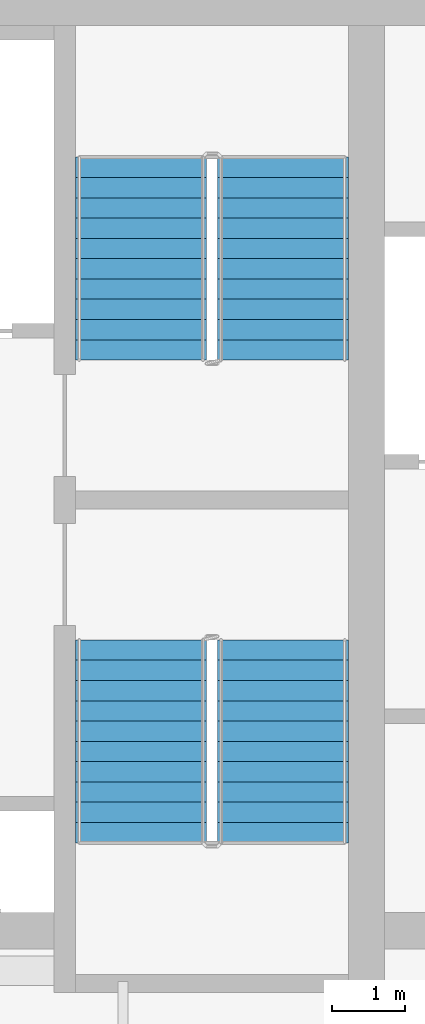
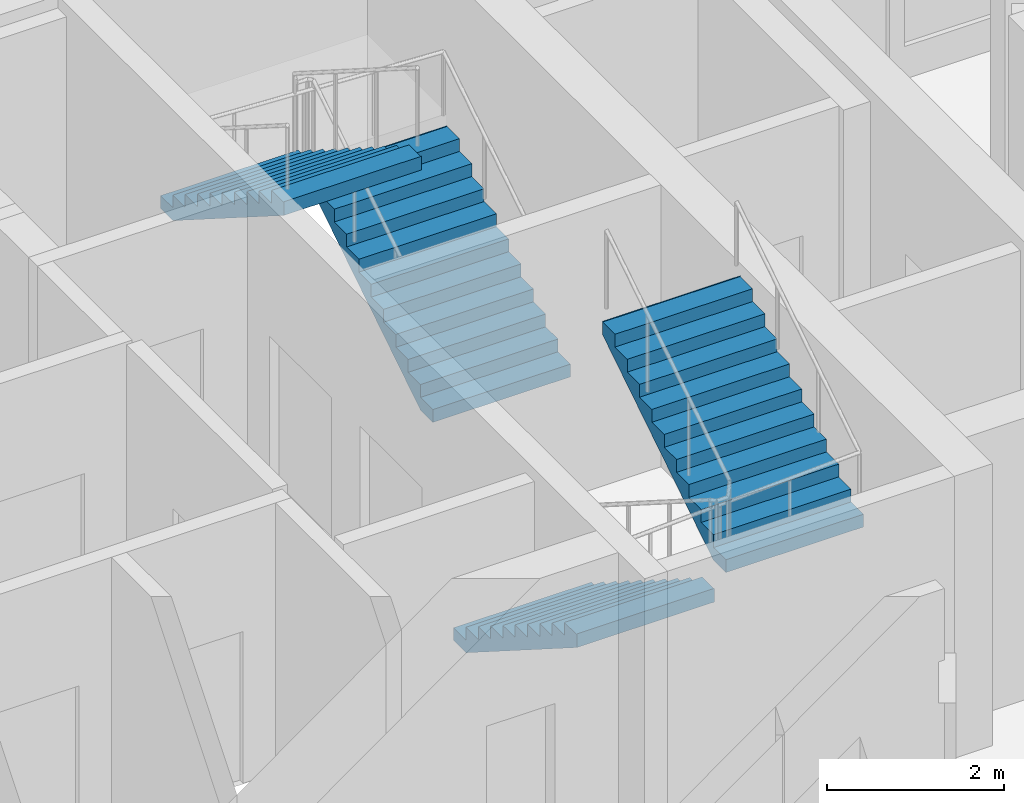
# One storey, part 9 of 10: 4 stair flights, 2 elements without a shape of their own.
"""IFC4 building model written with IfcOpenShell, lengths in metres."""

from ifc_helpers import new_model, si_unit, direction, frame, origin, place, context, subcontext, project, spatial, faceted_brep, source, transform, mapped, material, type_object, element, aggregate, save


model = new_model("IFC4")

# Units and contexts
model_context = context("Model", 3, precision=1e-05, world=origin(), true_north=direction((0.0, 1.0)))
body_context = subcontext(model_context, "Body", "Model", "MODEL_VIEW")
ifc_project = project(units=[si_unit("LENGTHUNIT", "METRE"), si_unit("AREAUNIT", "SQUARE_METRE"), si_unit("VOLUMEUNIT", "CUBIC_METRE"), si_unit("PLANEANGLEUNIT", "RADIAN"), si_unit("MASSUNIT", "GRAM", prefix="KILO")], contexts=[model_context])

# Site, building, storey
site_placement = place(None, origin())
site = spatial("IfcSite", under=ifc_project, at=site_placement, CompositionType="ELEMENT")
building_placement = place(site_placement, origin())
building = spatial("IfcBuilding", under=site, at=building_placement, Name="Calabash Gate Tower", CompositionType="ELEMENT")
storey_placement = place(building_placement, frame((0.0, 0.0, 183.60009765625)))
storey = spatial("IfcBuildingStorey", under=building, at=storey_placement, Name="L43", CompositionType="ELEMENT", Elevation=183.60009765625)

# Stair, stair flights
ifc_material_1 = material(Name="Concrete C40/50", Category="concrete")
stair_type = type_object("IfcStairType", Name="Exit stair 22 risers of 177.3 mm", PredefinedType="HALF_TURN_STAIR", material=ifc_material_1)
stair_1_placement = place(storey_placement, origin())
stair_1 = element("IfcStair", 1, at=stair_1_placement, inside=storey, type_object=stair_type, Name="L43 Exit stair ST3", PredefinedType="HALF_TURN_STAIR")
ifc_material_2 = material(Name="Concrete C40/50", Category="concrete")
stair_flight_type = type_object("IfcStairFlightType", Name="Exit stair flight SFL", PredefinedType="STRAIGHT", material=ifc_material_2)
shared_shape = source(origin(), body_context, "Body", "Brep", [
    faceted_brep([(-0.0009765625, -0.89990234375, 0.0), (0.279541015625, -0.89990234375, 0.0), (2.791015625, -0.89990234375, 1.59521484375), (-0.0009765625, 0.89990234375, 0.0), (2.791015625, 0.89990234375, 1.59521484375), (0.279541015625, 0.89990234375, 0.0), (2.791015625, -0.89990234375, 1.78466796875), (2.7900390625, -0.89990234375, 1.78466796875), (2.7900390625, 0.89990234375, 1.78466796875), (2.791015625, 0.89990234375, 1.78466796875), (2.7900390625, -0.89990234375, 1.772705078125), (2.7900390625, 0.89990234375, 1.772705078125), (2.510986328125, -0.89990234375, 1.772705078125), (2.510986328125, 0.89990234375, 1.772705078125), (2.510986328125, -0.89990234375, 1.595458984375), (2.510986328125, 0.89990234375, 1.595458984375), (2.23193359375, -0.89990234375, 1.595458984375), (2.23193359375, 0.89990234375, 1.595458984375), (2.23193359375, -0.89990234375, 1.418212890625), (2.23193359375, 0.89990234375, 1.418212890625), (1.952880859375, -0.89990234375, 1.418212890625), (1.952880859375, -0.89990234375, 1.240966796875), (1.952880859375, 0.89990234375, 1.240966796875), (1.952880859375, 0.89990234375, 1.418212890625), (1.674072265625, -0.89990234375, 1.240966796875), (1.674072265625, -0.89990234375, 1.063720703125), (1.674072265625, 0.89990234375, 1.063720703125), (1.674072265625, 0.89990234375, 1.240966796875), (1.39501953125, -0.89990234375, 1.063720703125), (1.39501953125, -0.89990234375, 0.886474609375), (1.39501953125, 0.89990234375, 0.886474609375), (1.39501953125, 0.89990234375, 1.063720703125), (1.115966796875, -0.89990234375, 0.886474609375), (1.115966796875, -0.89990234375, 0.708984375), (1.115966796875, 0.89990234375, 0.708984375), (1.115966796875, 0.89990234375, 0.886474609375), (0.8369140625, -0.89990234375, 0.708984375), (0.8369140625, -0.89990234375, 0.53173828125), (0.8369140625, 0.89990234375, 0.53173828125), (0.8369140625, 0.89990234375, 0.708984375), (0.55810546875, -0.89990234375, 0.53173828125), (0.55810546875, -0.89990234375, 0.3544921875), (0.55810546875, 0.89990234375, 0.3544921875), (0.55810546875, 0.89990234375, 0.53173828125), (0.279052734375, -0.89990234375, 0.3544921875), (0.279052734375, -0.89990234375, 0.17724609375), (0.279052734375, 0.89990234375, 0.17724609375), (0.279052734375, 0.89990234375, 0.3544921875), (-0.0009765625, -0.89990234375, 0.17724609375), (-0.0009765625, 0.89990234375, 0.17724609375), (0.279541015625, -0.360107421875, 0.0), (2.791015625, -0.360107421875, 1.59521484375), (0.279541015625, 0.0, 0.0), (2.791015625, 0.0, 1.59521484375), (0.279541015625, 0.360107421875, 0.0), (2.791015625, 0.360107421875, 1.59521484375), (2.791015625, -0.360107421875, 1.78466796875), (2.791015625, 0.0, 1.78466796875), (2.791015625, 0.360107421875, 1.78466796875), (2.7900390625, -0.360107421875, 1.78466796875), (2.7900390625, 0.0, 1.78466796875), (2.7900390625, 0.360107421875, 1.78466796875), (2.7900390625, -0.360107421875, 1.772705078125), (2.7900390625, 0.0, 1.772705078125), (2.7900390625, 0.360107421875, 1.772705078125), (2.510986328125, -0.360107421875, 1.772705078125), (2.510986328125, 0.0, 1.772705078125), (2.510986328125, 0.360107421875, 1.772705078125), (2.510986328125, -0.360107421875, 1.595458984375), (2.510986328125, 0.0, 1.595458984375), (2.510986328125, 0.360107421875, 1.595458984375), (2.23193359375, -0.360107421875, 1.595458984375), (2.23193359375, 0.0, 1.595458984375), (2.23193359375, 0.360107421875, 1.595458984375), (2.23193359375, -0.360107421875, 1.418212890625), (2.23193359375, 0.0, 1.418212890625), (2.23193359375, 0.360107421875, 1.418212890625), (1.952880859375, -0.360107421875, 1.418212890625), (1.952880859375, 0.0, 1.418212890625), (1.952880859375, 0.360107421875, 1.418212890625), (1.952880859375, -0.360107421875, 1.240966796875), (1.952880859375, 0.0, 1.240966796875), (1.952880859375, 0.360107421875, 1.240966796875), (1.674072265625, -0.360107421875, 1.240966796875), (1.674072265625, 0.0, 1.240966796875), (1.674072265625, 0.360107421875, 1.240966796875), (1.674072265625, -0.360107421875, 1.063720703125), (1.674072265625, 0.0, 1.063720703125), (1.674072265625, 0.360107421875, 1.063720703125), (1.39501953125, -0.360107421875, 1.063720703125), (1.39501953125, 0.0, 1.063720703125), (1.39501953125, 0.360107421875, 1.063720703125), (1.39501953125, -0.360107421875, 0.886474609375), (1.39501953125, 0.0, 0.886474609375), (1.39501953125, 0.360107421875, 0.886474609375), (1.115966796875, -0.360107421875, 0.886474609375), (1.115966796875, 0.0, 0.886474609375), (1.115966796875, 0.360107421875, 0.886474609375), (1.115966796875, -0.360107421875, 0.708984375), (1.115966796875, 0.0, 0.708984375), (1.115966796875, 0.360107421875, 0.708984375), (0.8369140625, -0.360107421875, 0.708984375), (0.8369140625, 0.0, 0.708984375), (0.8369140625, 0.360107421875, 0.708984375), (0.8369140625, -0.360107421875, 0.53173828125), (0.8369140625, 0.0, 0.53173828125), (0.8369140625, 0.360107421875, 0.53173828125), (0.55810546875, -0.360107421875, 0.53173828125), (0.55810546875, 0.0, 0.53173828125), (0.55810546875, 0.360107421875, 0.53173828125), (0.55810546875, -0.360107421875, 0.3544921875), (0.55810546875, 0.0, 0.3544921875), (0.55810546875, 0.360107421875, 0.3544921875), (0.279052734375, -0.360107421875, 0.3544921875), (0.279052734375, 0.0, 0.3544921875), (0.279052734375, 0.360107421875, 0.3544921875), (0.279052734375, -0.360107421875, 0.17724609375), (0.279052734375, 0.0, 0.17724609375), (0.279052734375, 0.360107421875, 0.17724609375), (-0.0009765625, -0.360107421875, 0.17724609375), (-0.0009765625, 0.0, 0.17724609375), (-0.0009765625, 0.360107421875, 0.17724609375), (-0.0009765625, -0.360107421875, 0.0), (-0.0009765625, 0.0, 0.0), (-0.0009765625, 0.360107421875, 0.0)], [[[0, 1, 2]], [[3, 4, 5]], [[2, 6, 7]], [[4, 8, 9]], [[2, 7, 10]], [[4, 11, 8]], [[2, 10, 12]], [[4, 13, 11]], [[2, 12, 14]], [[4, 15, 13]], [[2, 14, 16]], [[4, 17, 15]], [[2, 16, 18]], [[4, 19, 17]], [[18, 20, 21]], [[19, 22, 23]], [[2, 18, 21]], [[4, 22, 19]], [[21, 24, 25]], [[22, 26, 27]], [[2, 21, 25]], [[4, 26, 22]], [[25, 28, 29]], [[26, 30, 31]], [[2, 25, 29]], [[4, 30, 26]], [[29, 32, 33]], [[30, 34, 35]], [[2, 29, 33]], [[4, 34, 30]], [[33, 36, 37]], [[34, 38, 39]], [[2, 33, 37]], [[4, 38, 34]], [[37, 40, 41]], [[38, 42, 43]], [[2, 37, 41]], [[4, 42, 38]], [[41, 44, 45]], [[42, 46, 47]], [[2, 41, 45]], [[4, 46, 42]], [[0, 2, 45]], [[3, 46, 4]], [[45, 48, 0]], [[46, 3, 49]], [[1, 50, 2]], [[50, 51, 2]], [[50, 52, 51]], [[52, 53, 51]], [[52, 54, 55]], [[52, 55, 53]], [[54, 5, 4]], [[54, 4, 55]], [[2, 51, 6]], [[51, 56, 6]], [[51, 53, 56]], [[53, 57, 56]], [[53, 55, 58]], [[53, 58, 57]], [[55, 4, 9]], [[55, 9, 58]], [[6, 56, 7]], [[56, 59, 7]], [[56, 57, 59]], [[57, 60, 59]], [[57, 58, 61]], [[57, 61, 60]], [[58, 9, 8]], [[58, 8, 61]], [[7, 59, 10]], [[59, 62, 10]], [[59, 60, 62]], [[60, 63, 62]], [[60, 61, 64]], [[60, 64, 63]], [[61, 8, 11]], [[61, 11, 64]], [[10, 62, 12]], [[62, 65, 12]], [[62, 63, 65]], [[63, 66, 65]], [[63, 64, 67]], [[63, 67, 66]], [[64, 11, 13]], [[64, 13, 67]], [[12, 65, 14]], [[65, 68, 14]], [[65, 66, 68]], [[66, 69, 68]], [[66, 67, 70]], [[66, 70, 69]], [[67, 13, 15]], [[67, 15, 70]], [[14, 68, 16]], [[68, 71, 16]], [[68, 69, 71]], [[69, 72, 71]], [[69, 70, 73]], [[69, 73, 72]], [[70, 15, 17]], [[70, 17, 73]], [[16, 71, 18]], [[71, 74, 18]], [[71, 72, 74]], [[72, 75, 74]], [[72, 73, 76]], [[72, 76, 75]], [[73, 17, 19]], [[73, 19, 76]], [[18, 74, 20]], [[74, 77, 20]], [[74, 75, 77]], [[75, 78, 77]], [[75, 76, 79]], [[75, 79, 78]], [[76, 19, 23]], [[76, 23, 79]], [[20, 77, 21]], [[77, 80, 21]], [[77, 78, 80]], [[78, 81, 80]], [[78, 79, 82]], [[78, 82, 81]], [[79, 23, 22]], [[79, 22, 82]], [[21, 80, 24]], [[80, 83, 24]], [[80, 81, 83]], [[81, 84, 83]], [[81, 82, 85]], [[81, 85, 84]], [[82, 22, 27]], [[82, 27, 85]], [[24, 83, 25]], [[83, 86, 25]], [[83, 84, 86]], [[84, 87, 86]], [[84, 85, 88]], [[84, 88, 87]], [[85, 27, 26]], [[85, 26, 88]], [[25, 86, 28]], [[86, 89, 28]], [[86, 87, 89]], [[87, 90, 89]], [[87, 88, 91]], [[87, 91, 90]], [[88, 26, 31]], [[88, 31, 91]], [[28, 89, 29]], [[89, 92, 29]], [[89, 90, 92]], [[90, 93, 92]], [[90, 91, 94]], [[90, 94, 93]], [[91, 31, 30]], [[91, 30, 94]], [[29, 92, 32]], [[92, 95, 32]], [[92, 93, 95]], [[93, 96, 95]], [[93, 94, 97]], [[93, 97, 96]], [[94, 30, 35]], [[94, 35, 97]], [[32, 95, 33]], [[95, 98, 33]], [[95, 96, 98]], [[96, 99, 98]], [[96, 97, 100]], [[96, 100, 99]], [[97, 35, 34]], [[97, 34, 100]], [[33, 98, 36]], [[98, 101, 36]], [[98, 99, 101]], [[99, 102, 101]], [[99, 100, 103]], [[99, 103, 102]], [[100, 34, 39]], [[100, 39, 103]], [[36, 101, 37]], [[101, 104, 37]], [[101, 102, 104]], [[102, 105, 104]], [[102, 103, 106]], [[102, 106, 105]], [[103, 39, 38]], [[103, 38, 106]], [[37, 104, 40]], [[104, 107, 40]], [[104, 105, 107]], [[105, 108, 107]], [[105, 106, 109]], [[105, 109, 108]], [[106, 38, 43]], [[106, 43, 109]], [[40, 107, 41]], [[107, 110, 41]], [[107, 108, 110]], [[108, 111, 110]], [[108, 109, 112]], [[108, 112, 111]], [[109, 43, 42]], [[109, 42, 112]], [[41, 110, 44]], [[110, 113, 44]], [[110, 111, 113]], [[111, 114, 113]], [[111, 112, 115]], [[111, 115, 114]], [[112, 42, 47]], [[112, 47, 115]], [[44, 113, 45]], [[113, 116, 45]], [[113, 114, 116]], [[114, 117, 116]], [[114, 115, 118]], [[114, 118, 117]], [[115, 47, 46]], [[115, 46, 118]], [[45, 116, 48]], [[116, 119, 48]], [[116, 117, 119]], [[117, 120, 119]], [[117, 118, 121]], [[117, 121, 120]], [[118, 46, 49]], [[118, 49, 121]], [[48, 119, 0]], [[119, 122, 0]], [[119, 120, 122]], [[120, 123, 122]], [[120, 121, 124]], [[120, 124, 123]], [[121, 49, 3]], [[121, 3, 124]], [[0, 122, 1]], [[122, 50, 1]], [[122, 123, 50]], [[123, 52, 50]], [[123, 124, 54]], [[123, 54, 52]], [[124, 3, 5]], [[124, 5, 54]]]),
])
stair_flight_1_placement = place(storey_placement, frame((11.199951171875, 13.95263671875, 0.0), z_axis=(0.0, 0.0, 1.0), x_axis=(0.0, 1.0, 0.0)))
stair_flight_1 = element("IfcStairFlight", 2, at=stair_flight_1_placement, type_object=stair_flight_type, Name="ST3 flight 1", NumberOfRisers=11, NumberOfTreads=10, PredefinedType="STRAIGHT", RiserHeight=0.177272727, TreadLength=0.279, context=body_context, shape_type="MappedRepresentation", body=[
    mapped(shared_shape, transform((0.0, 0.0, 0.0), scale=1.0)),
])
stair_flight_2_placement = place(storey_placement, frame((9.25, 16.74267578125, 1.949951171875), z_axis=(0.0, 0.0, 1.0), x_axis=(0.0, -1.0, 0.0)))
stair_flight_2 = element("IfcStairFlight", 3, at=stair_flight_2_placement, type_object=stair_flight_type, Name="ST3 flight 2", NumberOfRisers=11, NumberOfTreads=10, PredefinedType="STRAIGHT", RiserHeight=0.177272727, TreadLength=0.279, context=body_context, shape_type="MappedRepresentation", body=[
    mapped(shared_shape, transform((0.0, 0.0, 0.0), scale=1.0)),
])
aggregate(stair_1, [stair_flight_1, stair_flight_2])

stair_2_placement = place(storey_placement, origin())
stair_2 = element("IfcStair", 4, at=stair_2_placement, inside=storey, type_object=stair_type, Name="L43 Exit stair ST4", PredefinedType="HALF_TURN_STAIR")
stair_flight_3_placement = place(storey_placement, frame((9.25, 10.1025390625, 0.0), z_axis=(0.0, 0.0, 1.0), x_axis=(0.0, -1.0, 0.0)))
stair_flight_3 = element("IfcStairFlight", 5, at=stair_flight_3_placement, type_object=stair_flight_type, Name="ST4 flight 1", NumberOfRisers=11, NumberOfTreads=10, PredefinedType="STRAIGHT", RiserHeight=0.177272727, TreadLength=0.279, context=body_context, shape_type="MappedRepresentation", body=[
    mapped(shared_shape, transform((0.0, 0.0, 0.0), scale=1.0)),
])
stair_flight_4_placement = place(storey_placement, frame((11.199951171875, 7.3125, 1.949951171875), z_axis=(0.0, 0.0, 1.0), x_axis=(0.0, 1.0, 0.0)))
stair_flight_4 = element("IfcStairFlight", 6, at=stair_flight_4_placement, type_object=stair_flight_type, Name="ST4 flight 2", NumberOfRisers=11, NumberOfTreads=10, PredefinedType="STRAIGHT", RiserHeight=0.177272727, TreadLength=0.279, context=body_context, shape_type="MappedRepresentation", body=[
    mapped(shared_shape, transform((0.0, 0.0, 0.0), scale=1.0)),
])
aggregate(stair_2, [stair_flight_3, stair_flight_4])

save(model, "model.ifc")
